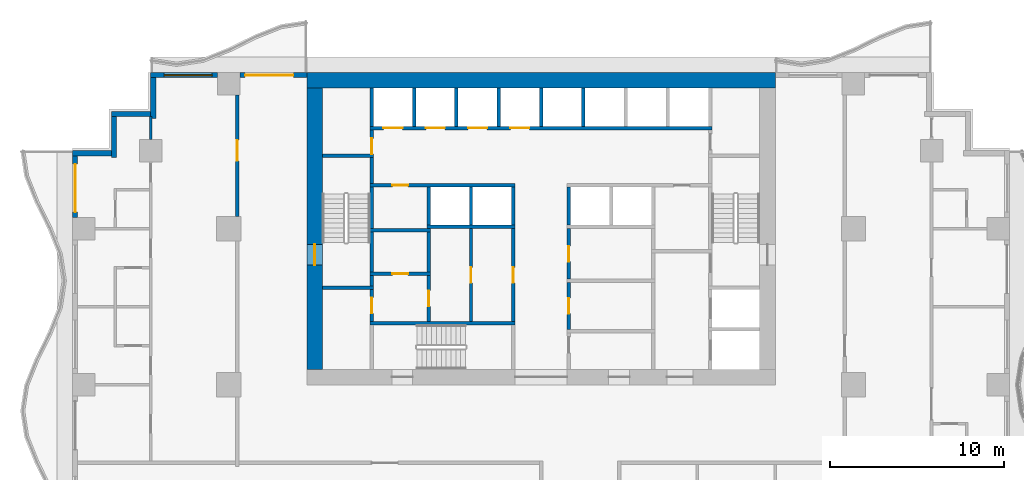
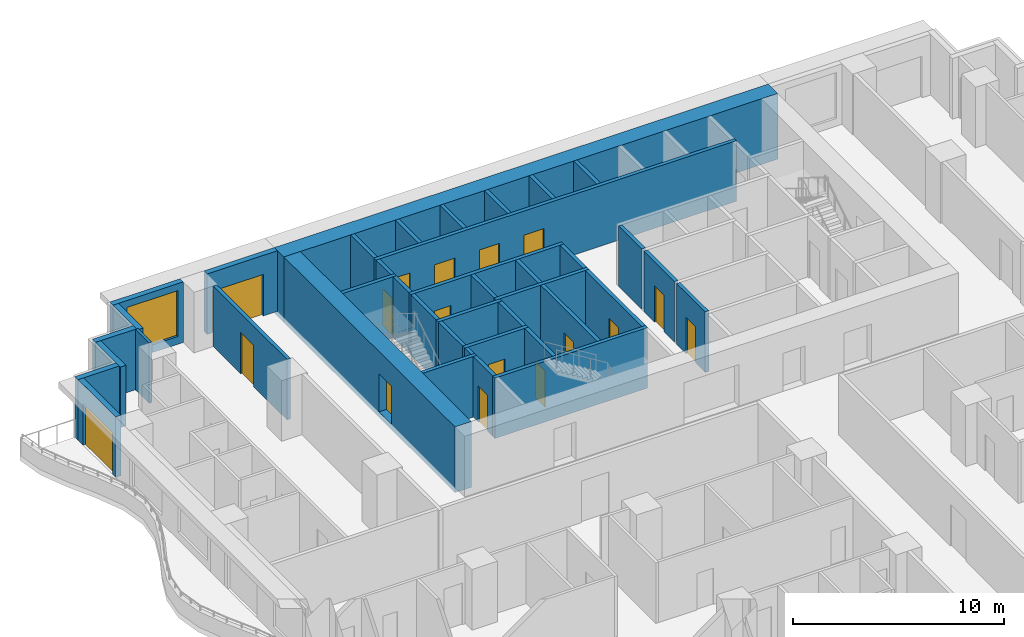
# One storey, part 5 of 14: 41 walls, 17 doors, 1 window, 18 openings.
"""IFC4 building model written with IfcOpenShell, lengths in metres."""

from ifc_helpers import new_model, si_unit, direction, frame, frame_2d, origin, place, context, subcontext, project, spatial, rectangle, extrude, material, layer, layer_set, type_object, element, fill, save


model = new_model("IFC4")

# Units and contexts
model_context = context("Model", 3, precision=1e-05, world=origin(), true_north=direction((0.0, 1.0)))
body_context = subcontext(model_context, "Body", "Model", "MODEL_VIEW")
ifc_project = project(units=[si_unit("LENGTHUNIT", "METRE"), si_unit("AREAUNIT", "SQUARE_METRE"), si_unit("VOLUMEUNIT", "CUBIC_METRE"), si_unit("PLANEANGLEUNIT", "RADIAN"), si_unit("MASSUNIT", "GRAM", prefix="KILO")], contexts=[model_context])

# Site, building, storey
site_placement = place(None, origin())
site = spatial("IfcSite", under=ifc_project, at=site_placement, CompositionType="ELEMENT")
building_placement = place(site_placement, origin())
building = spatial("IfcBuilding", under=site, at=building_placement, Name="Orbiselva Terraces", CompositionType="ELEMENT")
storey_placement = place(building_placement, frame((0.0, 0.0, 84.6)))
storey = spatial("IfcBuildingStorey", under=building, at=storey_placement, Name="L21", CompositionType="ELEMENT", Elevation=84.6)

# Wall, opening, door
ifc_material_1 = material(Name="Concrete C80/95", Category="concrete")
ifc_layer_1 = layer(ifc_material_1, 0.9)
ifc_layer_set_1 = layer_set([ifc_layer_1], Name="Concrete C80/95")
wall_type_1 = type_object("IfcWallType", Name="CORE WALL 900", PredefinedType="SHEAR", material=ifc_layer_set_1)
wall_1_placement = place(storey_placement, frame((-13.05, 21.6, -0.3), z_axis=(0.0, 0.0, 1.0), x_axis=(0.0, -1.0, 0.0)))
wall_1 = element("IfcWall", 1, at=wall_1_placement, inside=storey, type_object=wall_type_1, Name="Core wall L21 west", PredefinedType="SHEAR", context=body_context, shape_type="SweptSolid", body=[
    extrude(rectangle(XDim=16.2, YDim=0.9, at=frame_2d((8.1, 0.0))), origin(), (0.0, 0.0, 1.0), 3.8),
])
opening_1_placement = place(wall_1_placement, frame((9.0, 0.0, 0.3)))
opening_1 = element("IfcOpeningElement", 2, at=opening_1_placement, cuts=wall_1, Name="Opening DS1200", PredefinedType="OPENING", context=body_context, shape_type="SweptSolid", body=[
    extrude(rectangle(XDim=1.2, YDim=2.2, at=frame_2d((0.6, 1.1))), frame((0.0, 0.46, 0.0), z_axis=(0.0, -1.0, 0.0), x_axis=(1.0, 0.0, 0.0)), (0.0, 0.0, 1.0), 0.92),
])
ifc_material_2 = material(Name="Steel fire door", Category="steel")
door_type_1 = type_object("IfcDoorType", Name="STAIR DOOR 1200", OperationType="NOTDEFINED", PredefinedType="DOOR", material=ifc_material_2)
door_1_placement = place(opening_1_placement, frame((1.2, 0.0, 0.0), z_axis=(0.0, 0.0, 1.0), x_axis=(-1.0, 0.0, 0.0)))
door_1 = element("IfcDoor", 3, at=door_1_placement, inside=storey, type_object=door_type_1, Name="L21 EXIT STAIR S1 door", OperationType="SINGLE_SWING_RIGHT", OverallHeight=2.2, OverallWidth=1.2, PredefinedType="DOOR", context=body_context, shape_type="SweptSolid", body=[
    extrude(rectangle(XDim=1.2, YDim=2.2, at=frame_2d((0.6, 1.1))), frame((0.0, 0.025, 0.0), z_axis=(0.0, -1.0, 0.0), x_axis=(1.0, 0.0, 0.0)), (0.0, 0.0, 1.0), 0.05),
])
fill(opening_1, door_1)

# Wall
ifc_layer_2 = layer(ifc_material_1, 0.9)
ifc_layer_set_2 = layer_set([ifc_layer_2], Name="Concrete C80/95")
wall_type_2 = type_object("IfcWallType", Name="CORE WALL 900 EXTERNAL", PredefinedType="SHEAR", material=ifc_layer_set_2)
wall_2_placement = place(storey_placement, frame((13.5, 22.05, -0.3), z_axis=(0.0, 0.0, 1.0), x_axis=(-1.0, 0.0, 0.0)))
element("IfcWall", 4, at=wall_2_placement, inside=storey, type_object=wall_type_2, Name="Core wall L21 north", PredefinedType="SHEAR", context=body_context, shape_type="SweptSolid", body=[
    extrude(rectangle(XDim=27.0, YDim=0.9, at=frame_2d((13.5, 0.0))), origin(), (0.0, 0.0, 1.0), 3.8),
])

# Wall, opening, door
ifc_material_3 = material(Name="Masonry blockwork", Category="masonry")
ifc_layer_3 = layer(ifc_material_3, 0.2)
ifc_layer_set_3 = layer_set([ifc_layer_3], Name="Masonry blockwork")
wall_type_3 = type_object("IfcWallType", Name="CORE-WALL-PARTITION-200", PredefinedType="PARTITIONING", material=ifc_layer_set_3)
wall_3_placement = place(storey_placement, frame((-9.75, 8.15, 0.0), z_axis=(0.0, 0.0, 1.0), x_axis=(0.0, 1.0, 0.0)))
wall_3 = element("IfcWall", 5, at=wall_3_placement, inside=storey, type_object=wall_type_3, Name="L21 core wall 05", PredefinedType="PARTITIONING", context=body_context, shape_type="SweptSolid", body=[
    extrude(rectangle(XDim=1.85, YDim=0.2, at=frame_2d((0.925, 0.0))), origin(), (0.0, 0.0, 1.0), 3.5),
])
opening_2_placement = place(wall_3_placement, frame((0.475, 0.0, 0.0)))
opening_2 = element("IfcOpeningElement", 6, at=opening_2_placement, cuts=wall_3, Name="Opening DR900", PredefinedType="OPENING", context=body_context, shape_type="SweptSolid", body=[
    extrude(rectangle(XDim=0.9, YDim=2.1, at=frame_2d((0.45, 1.05))), frame((0.0, 0.11, 0.0), z_axis=(0.0, -1.0, 0.0), x_axis=(1.0, 0.0, 0.0)), (0.0, 0.0, 1.0), 0.22),
])
door_type_2 = type_object("IfcDoorType", Name="ROOM DOOR 900", OperationType="NOTDEFINED", PredefinedType="DOOR", material=ifc_material_2)
door_2_placement = place(opening_2_placement, origin())
door_2 = element("IfcDoor", 7, at=door_2_placement, inside=storey, type_object=door_type_2, Name="L21 STAFF WC door", OperationType="SINGLE_SWING_RIGHT", OverallHeight=2.1, OverallWidth=0.9, PredefinedType="DOOR", context=body_context, shape_type="SweptSolid", body=[
    extrude(rectangle(XDim=0.9, YDim=2.1, at=frame_2d((0.45, 1.05))), frame((0.0, 0.025, 0.0), z_axis=(0.0, -1.0, 0.0), x_axis=(1.0, 0.0, 0.0)), (0.0, 0.0, 1.0), 0.05),
])
fill(opening_2, door_2)

wall_4_placement = place(storey_placement, frame((-9.75, 17.8, 0.0), z_axis=(0.0, 0.0, 1.0), x_axis=(0.0, 1.0, 0.0)))
wall_4 = element("IfcWall", 8, at=wall_4_placement, inside=storey, type_object=wall_type_3, Name="L21 core wall 13", PredefinedType="PARTITIONING", context=body_context, shape_type="SweptSolid", body=[
    extrude(rectangle(XDim=1.4, YDim=0.2, at=frame_2d((0.7, 0.0))), origin(), (0.0, 0.0, 1.0), 3.5),
])
opening_3_placement = place(wall_4_placement, origin())
opening_3 = element("IfcOpeningElement", 9, at=opening_3_placement, cuts=wall_4, Name="Opening DR900", PredefinedType="OPENING", context=body_context, shape_type="SweptSolid", body=[
    extrude(rectangle(XDim=0.9, YDim=2.1, at=frame_2d((0.45, 1.05))), frame((0.0, 0.11, 0.0), z_axis=(0.0, -1.0, 0.0), x_axis=(1.0, 0.0, 0.0)), (0.0, 0.0, 1.0), 0.22),
])
door_3_placement = place(opening_3_placement, origin())
door_3 = element("IfcDoor", 10, at=door_3_placement, inside=storey, type_object=door_type_2, Name="L21 ELECTRICAL RISER ROOM door", OperationType="SINGLE_SWING_LEFT", OverallHeight=2.1, OverallWidth=0.9, PredefinedType="DOOR", context=body_context, shape_type="SweptSolid", body=[
    extrude(rectangle(XDim=0.9, YDim=2.1, at=frame_2d((0.45, 1.05))), frame((0.0, 0.025, 0.0), z_axis=(0.0, -1.0, 0.0), x_axis=(1.0, 0.0, 0.0)), (0.0, 0.0, 1.0), 0.05),
])
fill(opening_3, door_3)

wall_5_placement = place(storey_placement, frame((-6.475, 8.15, 0.0), z_axis=(0.0, 0.0, 1.0), x_axis=(0.0, 1.0, 0.0)))
wall_5 = element("IfcWall", 11, at=wall_5_placement, inside=storey, type_object=wall_type_3, Name="L21 core wall 17", PredefinedType="PARTITIONING", context=body_context, shape_type="SweptSolid", body=[
    extrude(rectangle(XDim=2.65, YDim=0.2, at=frame_2d((1.325, 0.0))), origin(), (0.0, 0.0, 1.0), 3.5),
])
opening_4_placement = place(wall_5_placement, frame((0.875, 0.0, 0.0)))
opening_4 = element("IfcOpeningElement", 12, at=opening_4_placement, cuts=wall_5, Name="Opening DR900", PredefinedType="OPENING", context=body_context, shape_type="SweptSolid", body=[
    extrude(rectangle(XDim=0.9, YDim=2.1, at=frame_2d((0.45, 1.05))), frame((0.0, 0.11, 0.0), z_axis=(0.0, -1.0, 0.0), x_axis=(1.0, 0.0, 0.0)), (0.0, 0.0, 1.0), 0.22),
])
door_4_placement = place(opening_4_placement, origin())
door_4 = element("IfcDoor", 13, at=door_4_placement, inside=storey, type_object=door_type_2, Name="L21 UNIFORM STORE door", OperationType="SINGLE_SWING_LEFT", OverallHeight=2.1, OverallWidth=0.9, PredefinedType="DOOR", context=body_context, shape_type="SweptSolid", body=[
    extrude(rectangle(XDim=0.9, YDim=2.1, at=frame_2d((0.45, 1.05))), frame((0.0, 0.025, 0.0), z_axis=(0.0, -1.0, 0.0), x_axis=(1.0, 0.0, 0.0)), (0.0, 0.0, 1.0), 0.05),
])
fill(opening_4, door_4)

# Wall
wall_6_placement = place(storey_placement, frame((-6.475, 11.0, 0.0), z_axis=(0.0, 0.0, 1.0), x_axis=(0.0, 1.0, 0.0)))
element("IfcWall", 14, at=wall_6_placement, inside=storey, type_object=wall_type_3, Name="L21 core wall 18", PredefinedType="PARTITIONING", context=body_context, shape_type="SweptSolid", body=[
    extrude(rectangle(XDim=2.3, YDim=0.2, at=frame_2d((1.15, 0.0))), origin(), (0.0, 0.0, 1.0), 3.5),
])

# Wall, opening, door
wall_7_placement = place(storey_placement, frame((-4.0375, 8.15, 0.0), z_axis=(0.0, 0.0, 1.0), x_axis=(0.0, 1.0, 0.0)))
wall_7 = element("IfcWall", 15, at=wall_7_placement, inside=storey, type_object=wall_type_3, Name="L21 core wall 22", PredefinedType="PARTITIONING", context=body_context, shape_type="SweptSolid", body=[
    extrude(rectangle(XDim=5.35, YDim=0.2, at=frame_2d((2.675, 0.0))), origin(), (0.0, 0.0, 1.0), 3.5),
])
opening_5_placement = place(wall_7_placement, frame((2.225, 0.0, 0.0)))
opening_5 = element("IfcOpeningElement", 16, at=opening_5_placement, cuts=wall_7, Name="Opening DR900", PredefinedType="OPENING", context=body_context, shape_type="SweptSolid", body=[
    extrude(rectangle(XDim=0.9, YDim=2.1, at=frame_2d((0.45, 1.05))), frame((0.0, 0.11, 0.0), z_axis=(0.0, -1.0, 0.0), x_axis=(1.0, 0.0, 0.0)), (0.0, 0.0, 1.0), 0.22),
])
door_5_placement = place(opening_5_placement, origin())
door_5 = element("IfcDoor", 17, at=door_5_placement, inside=storey, type_object=door_type_2, Name="L21 BUILDING STORE door", OperationType="SINGLE_SWING_RIGHT", OverallHeight=2.1, OverallWidth=0.9, PredefinedType="DOOR", context=body_context, shape_type="SweptSolid", body=[
    extrude(rectangle(XDim=0.9, YDim=2.1, at=frame_2d((0.45, 1.05))), frame((0.0, 0.025, 0.0), z_axis=(0.0, -1.0, 0.0), x_axis=(1.0, 0.0, 0.0)), (0.0, 0.0, 1.0), 0.05),
])
fill(opening_5, door_5)

wall_8_placement = place(storey_placement, frame((1.6, 10.4, 0.0), z_axis=(0.0, 0.0, 1.0), x_axis=(0.0, -1.0, 0.0)))
wall_8 = element("IfcWall", 18, at=wall_8_placement, inside=storey, type_object=wall_type_3, Name="L21 core wall 31", PredefinedType="PARTITIONING", context=body_context, shape_type="SweptSolid", body=[
    extrude(rectangle(XDim=2.7, YDim=0.2, at=frame_2d((1.35, 0.0))), origin(), (0.0, 0.0, 1.0), 3.5),
])
opening_6_placement = place(wall_8_placement, frame((0.9, 0.0, 0.0)))
opening_6 = element("IfcOpeningElement", 19, at=opening_6_placement, cuts=wall_8, Name="Opening DR900", PredefinedType="OPENING", context=body_context, shape_type="SweptSolid", body=[
    extrude(rectangle(XDim=0.9, YDim=2.1, at=frame_2d((0.45, 1.05))), frame((0.0, 0.11, 0.0), z_axis=(0.0, -1.0, 0.0), x_axis=(1.0, 0.0, 0.0)), (0.0, 0.0, 1.0), 0.22),
])
door_6_placement = place(opening_6_placement, origin())
door_6 = element("IfcDoor", 20, at=door_6_placement, inside=storey, type_object=door_type_2, Name="L21 SERVICE PANTRY door", OperationType="SINGLE_SWING_LEFT", OverallHeight=2.1, OverallWidth=0.9, PredefinedType="DOOR", context=body_context, shape_type="SweptSolid", body=[
    extrude(rectangle(XDim=0.9, YDim=2.1, at=frame_2d((0.45, 1.05))), frame((0.0, 0.025, 0.0), z_axis=(0.0, -1.0, 0.0), x_axis=(1.0, 0.0, 0.0)), (0.0, 0.0, 1.0), 0.05),
])
fill(opening_6, door_6)

wall_9_placement = place(storey_placement, frame((1.6, 13.5, 0.0), z_axis=(0.0, 0.0, 1.0), x_axis=(0.0, -1.0, 0.0)))
wall_9 = element("IfcWall", 21, at=wall_9_placement, inside=storey, type_object=wall_type_3, Name="L21 core wall 33", PredefinedType="PARTITIONING", context=body_context, shape_type="SweptSolid", body=[
    extrude(rectangle(XDim=2.9, YDim=0.2, at=frame_2d((1.45, 0.0))), origin(), (0.0, 0.0, 1.0), 3.5),
])
opening_7_placement = place(wall_9_placement, frame((1.0, 0.0, 0.0)))
opening_7 = element("IfcOpeningElement", 22, at=opening_7_placement, cuts=wall_9, Name="Opening DR900", PredefinedType="OPENING", context=body_context, shape_type="SweptSolid", body=[
    extrude(rectangle(XDim=0.9, YDim=2.1, at=frame_2d((0.45, 1.05))), frame((0.0, 0.11, 0.0), z_axis=(0.0, -1.0, 0.0), x_axis=(1.0, 0.0, 0.0)), (0.0, 0.0, 1.0), 0.22),
])
door_7_placement = place(opening_7_placement, origin())
door_7 = element("IfcDoor", 23, at=door_7_placement, inside=storey, type_object=door_type_2, Name="L21 STAFF WC door", OperationType="SINGLE_SWING_LEFT", OverallHeight=2.1, OverallWidth=0.9, PredefinedType="DOOR", context=body_context, shape_type="SweptSolid", body=[
    extrude(rectangle(XDim=0.9, YDim=2.1, at=frame_2d((0.45, 1.05))), frame((0.0, 0.025, 0.0), z_axis=(0.0, -1.0, 0.0), x_axis=(1.0, 0.0, 0.0)), (0.0, 0.0, 1.0), 0.05),
])
fill(opening_7, door_7)

# Walls
ifc_material_4 = material(Name="Concrete C40/50", Category="concrete")
ifc_layer_4 = layer(ifc_material_4, 0.2)
ifc_layer_set_4 = layer_set([ifc_layer_4], Name="Concrete C40/50")
wall_type_4 = type_object("IfcWallType", Name="CORE-WALL-SHAFT-200", PredefinedType="PARTITIONING", material=ifc_layer_set_4)
for number, where, z_axis, x_axis, name in (
    (24, (-9.75, 19.4, 0.0), (0.0, 0.0, 1.0), (0.0, 1.0, 0.0), "L21 core wall 15"),
    (25, (-7.3125, 19.4, 0.0), (0.0, 0.0, 1.0), (0.0, 1.0, 0.0), "L21 core wall 16"),
    (26, (-6.475, 13.7, 0.0), (0.0, 0.0, 1.0), (0.0, 1.0, 0.0), "L21 core wall 20"),
    (27, (-4.875, 19.4, 0.0), (0.0, 0.0, 1.0), (0.0, 1.0, 0.0), "L21 core wall 21"),
    (28, (-4.0375, 13.7, 0.0), (0.0, 0.0, 1.0), (0.0, 1.0, 0.0), "L21 core wall 23"),
    (29, (-2.4375, 19.4, 0.0), (0.0, 0.0, 1.0), (0.0, 1.0, 0.0), "L21 core wall 24"),
    (30, (-1.6, 13.7, 0.0), (0.0, 0.0, 1.0), (0.0, 1.0, 0.0), "L21 core wall 27"),
    (31, (0.0, 19.4, 0.0), (0.0, 0.0, 1.0), (0.0, 1.0, 0.0), "L21 core wall 28"),
    (32, (1.6, 13.7, 0.0), (0.0, 0.0, 1.0), (0.0, 1.0, 0.0), "L21 core wall 35"),
    (33, (2.4375, 19.4, 0.0), (0.0, 0.0, 1.0), (0.0, 1.0, 0.0), "L21 core wall 37"),
):
    element("IfcWall", number, at=place(storey_placement, frame(where, z_axis=z_axis, x_axis=x_axis)), inside=storey, type_object=wall_type_4, Name=name, PredefinedType="PARTITIONING", context=body_context, shape_type="SweptSolid", body=[
        extrude(rectangle(XDim=2.2, YDim=0.2, at=frame_2d((1.1, 0.0))), origin(), (0.0, 0.0, 1.0), 3.5),
    ])
ifc_material_5 = material(Name="Concrete C60/75", Category="concrete")
ifc_layer_5 = layer(ifc_material_5, 0.2)
ifc_layer_set_5 = layer_set([ifc_layer_5], Name="Concrete C60/75")
wall_type_5 = type_object("IfcWallType", Name="CORE-WALL-SHEAR-200", PredefinedType="SHEAR", material=ifc_layer_set_5)
for number, where, z_axis, x_axis, name in (
    (34, (-12.6, 10.1, 0.0), (0.0, 0.0, 1.0), (1.0, 0.0, 0.0), "L21 core wall 01"),
    (35, (-12.6, 17.7, 0.0), (0.0, 0.0, 1.0), (1.0, 0.0, 0.0), "L21 core wall 02"),
):
    element("IfcWall", number, at=place(storey_placement, frame(where, z_axis=z_axis, x_axis=x_axis)), inside=storey, type_object=wall_type_5, Name=name, PredefinedType="SHEAR", context=body_context, shape_type="SweptSolid", body=[
        extrude(rectangle(XDim=2.95, YDim=0.2, at=frame_2d((1.475, 0.0))), origin(), (0.0, 0.0, 1.0), 3.5),
    ])
wall_10_placement = place(storey_placement, frame((-9.85, 8.05, 0.0), z_axis=(0.0, 0.0, 1.0), x_axis=(1.0, 0.0, 0.0)))
element("IfcWall", 36, at=wall_10_placement, inside=storey, type_object=wall_type_5, Name="L21 core wall 04", PredefinedType="SHEAR", context=body_context, shape_type="SweptSolid", body=[
    extrude(rectangle(XDim=8.35, YDim=0.2, at=frame_2d((4.175, 0.0))), origin(), (0.0, 0.0, 1.0), 3.5),
])
wall_11_placement = place(storey_placement, frame((-9.75, 10.2, 0.0), z_axis=(0.0, 0.0, 1.0), x_axis=(0.0, 1.0, 0.0)))
element("IfcWall", 37, at=wall_11_placement, inside=storey, type_object=wall_type_5, Name="L21 core wall 06", PredefinedType="SHEAR", context=body_context, shape_type="SweptSolid", body=[
    extrude(rectangle(XDim=0.6, YDim=0.2, at=frame_2d((0.3, 0.0))), origin(), (0.0, 0.0, 1.0), 3.5),
])

# Wall, opening, door
wall_12_placement = place(storey_placement, frame((-9.85, 10.9, 0.0), z_axis=(0.0, 0.0, 1.0), x_axis=(1.0, 0.0, 0.0)))
wall_12 = element("IfcWall", 38, at=wall_12_placement, inside=storey, type_object=wall_type_5, Name="L21 core wall 07", PredefinedType="SHEAR", context=body_context, shape_type="SweptSolid", body=[
    extrude(rectangle(XDim=3.475, YDim=0.2, at=frame_2d((1.7375, 0.0))), origin(), (0.0, 0.0, 1.0), 3.5),
])
opening_8_placement = place(wall_12_placement, frame((1.2875, 0.0, 0.0)))
opening_8 = element("IfcOpeningElement", 39, at=opening_8_placement, cuts=wall_12, Name="Opening DR900", PredefinedType="OPENING", context=body_context, shape_type="SweptSolid", body=[
    extrude(rectangle(XDim=0.9, YDim=2.1, at=frame_2d((0.45, 1.05))), frame((0.0, 0.11, 0.0), z_axis=(0.0, -1.0, 0.0), x_axis=(1.0, 0.0, 0.0)), (0.0, 0.0, 1.0), 0.22),
])
door_8_placement = place(opening_8_placement, origin())
door_8 = element("IfcDoor", 40, at=door_8_placement, inside=storey, type_object=door_type_2, Name="L21 LAUNDRY ROOM door", OperationType="SINGLE_SWING_RIGHT", OverallHeight=2.1, OverallWidth=0.9, PredefinedType="DOOR", context=body_context, shape_type="SweptSolid", body=[
    extrude(rectangle(XDim=0.9, YDim=2.1, at=frame_2d((0.45, 1.05))), frame((0.0, 0.025, 0.0), z_axis=(0.0, -1.0, 0.0), x_axis=(1.0, 0.0, 0.0)), (0.0, 0.0, 1.0), 0.05),
])
fill(opening_8, door_8)

# Walls
wall_13_placement = place(storey_placement, frame((-9.75, 11.0, 0.0), z_axis=(0.0, 0.0, 1.0), x_axis=(0.0, 1.0, 0.0)))
element("IfcWall", 41, at=wall_13_placement, inside=storey, type_object=wall_type_5, Name="L21 core wall 08", PredefinedType="SHEAR", context=body_context, shape_type="SweptSolid", body=[
    extrude(rectangle(XDim=2.3, YDim=0.2, at=frame_2d((1.15, 0.0))), origin(), (0.0, 0.0, 1.0), 3.5),
])
wall_14_placement = place(storey_placement, frame((-9.85, 13.4, 0.0), z_axis=(0.0, 0.0, 1.0), x_axis=(1.0, 0.0, 0.0)))
element("IfcWall", 42, at=wall_14_placement, inside=storey, type_object=wall_type_5, Name="L21 core wall 09", PredefinedType="SHEAR", context=body_context, shape_type="SweptSolid", body=[
    extrude(rectangle(XDim=3.475, YDim=0.2, at=frame_2d((1.7375, 0.0))), origin(), (0.0, 0.0, 1.0), 3.5),
])
wall_15_placement = place(storey_placement, frame((-9.75, 13.5, 0.0), z_axis=(0.0, 0.0, 1.0), x_axis=(0.0, 1.0, 0.0)))
element("IfcWall", 43, at=wall_15_placement, inside=storey, type_object=wall_type_5, Name="L21 core wall 10", PredefinedType="SHEAR", context=body_context, shape_type="SweptSolid", body=[
    extrude(rectangle(XDim=2.4, YDim=0.2, at=frame_2d((1.2, 0.0))), origin(), (0.0, 0.0, 1.0), 3.5),
])

# Wall, opening, door
wall_16_placement = place(storey_placement, frame((-1.5, 16.0, 0.0), z_axis=(0.0, 0.0, 1.0), x_axis=(-1.0, 0.0, 0.0)))
wall_16 = element("IfcWall", 44, at=wall_16_placement, inside=storey, type_object=wall_type_5, Name="L21 core wall 11", PredefinedType="SHEAR", context=body_context, shape_type="SweptSolid", body=[
    extrude(rectangle(XDim=8.35, YDim=0.2, at=frame_2d((4.175, 0.0))), origin(), (0.0, 0.0, 1.0), 3.5),
])
opening_9_placement = place(wall_16_placement, frame((6.1625, 0.0, 0.0)))
opening_9 = element("IfcOpeningElement", 45, at=opening_9_placement, cuts=wall_16, Name="Opening DR900", PredefinedType="OPENING", context=body_context, shape_type="SweptSolid", body=[
    extrude(rectangle(XDim=0.9, YDim=2.1, at=frame_2d((0.45, 1.05))), frame((0.0, 0.11, 0.0), z_axis=(0.0, -1.0, 0.0), x_axis=(1.0, 0.0, 0.0)), (0.0, 0.0, 1.0), 0.22),
])
door_9_placement = place(opening_9_placement, origin())
door_9 = element("IfcDoor", 46, at=door_9_placement, inside=storey, type_object=door_type_2, Name="L21 STAFF PANTRY door", OperationType="SINGLE_SWING_RIGHT", OverallHeight=2.1, OverallWidth=0.9, PredefinedType="DOOR", context=body_context, shape_type="SweptSolid", body=[
    extrude(rectangle(XDim=0.9, YDim=2.1, at=frame_2d((0.45, 1.05))), frame((0.0, 0.025, 0.0), z_axis=(0.0, -1.0, 0.0), x_axis=(1.0, 0.0, 0.0)), (0.0, 0.0, 1.0), 0.05),
])
fill(opening_9, door_9)

# Wall
wall_17_placement = place(storey_placement, frame((-9.75, 16.1, 0.0), z_axis=(0.0, 0.0, 1.0), x_axis=(0.0, 1.0, 0.0)))
element("IfcWall", 47, at=wall_17_placement, inside=storey, type_object=wall_type_5, Name="L21 core wall 12", PredefinedType="SHEAR", context=body_context, shape_type="SweptSolid", body=[
    extrude(rectangle(XDim=1.5, YDim=0.2, at=frame_2d((0.75, 0.0))), origin(), (0.0, 0.0, 1.0), 3.5),
])

# Wall, openings, doors
wall_18_placement = place(storey_placement, frame((-9.85, 19.3, 0.0), z_axis=(0.0, 0.0, 1.0), x_axis=(1.0, 0.0, 0.0)))
wall_18 = element("IfcWall", 48, at=wall_18_placement, inside=storey, type_object=wall_type_5, Name="L21 core wall 14", PredefinedType="SHEAR", context=body_context, shape_type="SweptSolid", body=[
    extrude(rectangle(XDim=19.7, YDim=0.2, at=frame_2d((9.85, 0.0))), origin(), (0.0, 0.0, 1.0), 3.5),
])
opening_10_placement = place(wall_18_placement, frame((0.76875, 0.0, 0.0)))
opening_10 = element("IfcOpeningElement", 49, at=opening_10_placement, cuts=wall_18, Name="Opening LD-LR1", PredefinedType="OPENING", context=body_context, shape_type="SweptSolid", body=[
    extrude(rectangle(XDim=1.1, YDim=2.1, at=frame_2d((0.55, 1.05))), frame((0.0, 0.11, 0.0), z_axis=(0.0, -1.0, 0.0), x_axis=(1.0, 0.0, 0.0)), (0.0, 0.0, 1.0), 0.22),
])
opening_11_placement = place(wall_18_placement, frame((3.20625, 0.0, 0.0)))
opening_11 = element("IfcOpeningElement", 50, at=opening_11_placement, cuts=wall_18, Name="Opening LD-LR2", PredefinedType="OPENING", context=body_context, shape_type="SweptSolid", body=[
    extrude(rectangle(XDim=1.1, YDim=2.1, at=frame_2d((0.55, 1.05))), frame((0.0, 0.11, 0.0), z_axis=(0.0, -1.0, 0.0), x_axis=(1.0, 0.0, 0.0)), (0.0, 0.0, 1.0), 0.22),
])
opening_12_placement = place(wall_18_placement, frame((5.64375, 0.0, 0.0)))
opening_12 = element("IfcOpeningElement", 51, at=opening_12_placement, cuts=wall_18, Name="Opening LD-LR3", PredefinedType="OPENING", context=body_context, shape_type="SweptSolid", body=[
    extrude(rectangle(XDim=1.1, YDim=2.1, at=frame_2d((0.55, 1.05))), frame((0.0, 0.11, 0.0), z_axis=(0.0, -1.0, 0.0), x_axis=(1.0, 0.0, 0.0)), (0.0, 0.0, 1.0), 0.22),
])
opening_13_placement = place(wall_18_placement, frame((8.08125, 0.0, 0.0)))
opening_13 = element("IfcOpeningElement", 52, at=opening_13_placement, cuts=wall_18, Name="Opening LD-LR4", PredefinedType="OPENING", context=body_context, shape_type="SweptSolid", body=[
    extrude(rectangle(XDim=1.1, YDim=2.1, at=frame_2d((0.55, 1.05))), frame((0.0, 0.11, 0.0), z_axis=(0.0, -1.0, 0.0), x_axis=(1.0, 0.0, 0.0)), (0.0, 0.0, 1.0), 0.22),
])
ifc_material_6 = material(Name="Stainless steel landing door", Category="steel")
door_type_3 = type_object("IfcDoorType", Name="LANDING DOOR 1100", OperationType="SLIDING_TO_LEFT", PredefinedType="DOOR", material=ifc_material_6)
door_10_placement = place(opening_10_placement, origin())
door_10 = element("IfcDoor", 53, at=door_10_placement, inside=storey, type_object=door_type_3, Name="L21 landing door LR1", OperationType="SLIDING_TO_LEFT", OverallHeight=2.1, OverallWidth=1.1, PredefinedType="DOOR", context=body_context, shape_type="SweptSolid", body=[
    extrude(rectangle(XDim=1.1, YDim=2.1, at=frame_2d((0.55, 1.05))), frame((0.0, 0.025, 0.0), z_axis=(0.0, -1.0, 0.0), x_axis=(1.0, 0.0, 0.0)), (0.0, 0.0, 1.0), 0.05),
])
fill(opening_10, door_10)
door_11_placement = place(opening_11_placement, origin())
door_11 = element("IfcDoor", 54, at=door_11_placement, inside=storey, type_object=door_type_3, Name="L21 landing door LR2", OperationType="SLIDING_TO_LEFT", OverallHeight=2.1, OverallWidth=1.1, PredefinedType="DOOR", context=body_context, shape_type="SweptSolid", body=[
    extrude(rectangle(XDim=1.1, YDim=2.1, at=frame_2d((0.55, 1.05))), frame((0.0, 0.025, 0.0), z_axis=(0.0, -1.0, 0.0), x_axis=(1.0, 0.0, 0.0)), (0.0, 0.0, 1.0), 0.05),
])
fill(opening_11, door_11)
door_12_placement = place(opening_12_placement, origin())
door_12 = element("IfcDoor", 55, at=door_12_placement, inside=storey, type_object=door_type_3, Name="L21 landing door LR3", OperationType="SLIDING_TO_LEFT", OverallHeight=2.1, OverallWidth=1.1, PredefinedType="DOOR", context=body_context, shape_type="SweptSolid", body=[
    extrude(rectangle(XDim=1.1, YDim=2.1, at=frame_2d((0.55, 1.05))), frame((0.0, 0.025, 0.0), z_axis=(0.0, -1.0, 0.0), x_axis=(1.0, 0.0, 0.0)), (0.0, 0.0, 1.0), 0.05),
])
fill(opening_12, door_12)
door_13_placement = place(opening_13_placement, origin())
door_13 = element("IfcDoor", 56, at=door_13_placement, inside=storey, type_object=door_type_3, Name="L21 landing door LR4", OperationType="SLIDING_TO_LEFT", OverallHeight=2.1, OverallWidth=1.1, PredefinedType="DOOR", context=body_context, shape_type="SweptSolid", body=[
    extrude(rectangle(XDim=1.1, YDim=2.1, at=frame_2d((0.55, 1.05))), frame((0.0, 0.025, 0.0), z_axis=(0.0, -1.0, 0.0), x_axis=(1.0, 0.0, 0.0)), (0.0, 0.0, 1.0), 0.05),
])
fill(opening_13, door_13)

# Wall
wall_19_placement = place(storey_placement, frame((-6.575, 13.6, 0.0), z_axis=(0.0, 0.0, 1.0), x_axis=(1.0, 0.0, 0.0)))
element("IfcWall", 57, at=wall_19_placement, inside=storey, type_object=wall_type_5, Name="L21 core wall 19", PredefinedType="SHEAR", context=body_context, shape_type="SweptSolid", body=[
    extrude(rectangle(XDim=5.075, YDim=0.2, at=frame_2d((2.5375, 0.0))), origin(), (0.0, 0.0, 1.0), 3.5),
])

# Wall, opening, door
wall_20_placement = place(storey_placement, frame((-1.6, 8.15, 0.0), z_axis=(0.0, 0.0, 1.0), x_axis=(0.0, 1.0, 0.0)))
wall_20 = element("IfcWall", 58, at=wall_20_placement, inside=storey, type_object=wall_type_5, Name="L21 core wall 26", PredefinedType="SHEAR", context=body_context, shape_type="SweptSolid", body=[
    extrude(rectangle(XDim=5.35, YDim=0.2, at=frame_2d((2.675, 0.0))), origin(), (0.0, 0.0, 1.0), 3.5),
])
opening_14_placement = place(wall_20_placement, frame((2.225, 0.0, 0.0)))
opening_14 = element("IfcOpeningElement", 59, at=opening_14_placement, cuts=wall_20, Name="Opening DR900", PredefinedType="OPENING", context=body_context, shape_type="SweptSolid", body=[
    extrude(rectangle(XDim=0.9, YDim=2.1, at=frame_2d((0.45, 1.05))), frame((0.0, 0.11, 0.0), z_axis=(0.0, -1.0, 0.0), x_axis=(1.0, 0.0, 0.0)), (0.0, 0.0, 1.0), 0.22),
])
door_14_placement = place(opening_14_placement, origin())
door_14 = element("IfcDoor", 60, at=door_14_placement, inside=storey, type_object=door_type_2, Name="L21 GUEST PANTRY door", OperationType="SINGLE_SWING_RIGHT", OverallHeight=2.1, OverallWidth=0.9, PredefinedType="DOOR", context=body_context, shape_type="SweptSolid", body=[
    extrude(rectangle(XDim=0.9, YDim=2.1, at=frame_2d((0.45, 1.05))), frame((0.0, 0.025, 0.0), z_axis=(0.0, -1.0, 0.0), x_axis=(1.0, 0.0, 0.0)), (0.0, 0.0, 1.0), 0.05),
])
fill(opening_14, door_14)

ifc_material_7 = material(Name="Terracotta cladding on masonry backing", Category="masonry")
ifc_layer_6 = layer(ifc_material_7, 0.3)
ifc_layer_set_6 = layer_set([ifc_layer_6], Name="Terracotta cladding on masonry backing")
wall_type_6 = type_object("IfcWallType", Name="ENV-WALL-TERRACOTTA-300", PredefinedType="SOLIDWALL", material=ifc_layer_set_6)
wall_21_placement = place(storey_placement, frame((-17.35, 22.35, 0.0), z_axis=(0.0, 0.0, 1.0), x_axis=(1.0, 0.0, 0.0)))
wall_21 = element("IfcWall", 61, at=wall_21_placement, inside=storey, type_object=wall_type_6, Name="Facade wall L21 NW", PredefinedType="SOLIDWALL", context=body_context, shape_type="SweptSolid", body=[
    extrude(rectangle(XDim=3.85, YDim=0.3, at=frame_2d((1.925, 0.0))), origin(), (0.0, 0.0, 1.0), 3.5),
])
opening_15_placement = place(wall_21_placement, frame((0.3, 0.0, 0.0)))
opening_15 = element("IfcOpeningElement", 62, at=opening_15_placement, cuts=wall_21, Name="Opening Z2-B-E10", PredefinedType="OPENING", context=body_context, shape_type="SweptSolid", body=[
    extrude(rectangle(XDim=2.775, YDim=2.4, at=frame_2d((1.3875, 1.2))), frame((0.0, 0.16, 0.0), z_axis=(0.0, -1.0, 0.0), x_axis=(1.0, 0.0, 0.0)), (0.0, 0.0, 1.0), 0.32),
])
ifc_material_8 = material(Name="Clear low-e glazing in aluminium frame", Category="aluminium")
door_type_4 = type_object("IfcDoorType", Name="BALCONY DOOR 2775 X 2400", OperationType="DOUBLE_DOOR_SLIDING", PredefinedType="DOOR", material=ifc_material_8)
door_15_placement = place(opening_15_placement, origin())
door_15 = element("IfcDoor", 63, at=door_15_placement, inside=storey, type_object=door_type_4, Name="Z2-B-E10", OperationType="SINGLE_SWING_LEFT", OverallHeight=2.4, OverallWidth=2.775, PredefinedType="DOOR", context=body_context, shape_type="SweptSolid", body=[
    extrude(rectangle(XDim=2.775, YDim=2.4, at=frame_2d((1.3875, 1.2))), frame((0.0, 0.025, 0.0), z_axis=(0.0, -1.0, 0.0), x_axis=(1.0, 0.0, 0.0)), (0.0, 0.0, 1.0), 0.05),
])
fill(opening_15, door_15)

# Wall, opening, window
wall_22_placement = place(storey_placement, frame((-22.5, 22.35, 0.0), z_axis=(0.0, 0.0, 1.0), x_axis=(1.0, 0.0, 0.0)))
wall_22 = element("IfcWall", 64, at=wall_22_placement, inside=storey, type_object=wall_type_6, Name="Facade wall L21 NW", PredefinedType="SOLIDWALL", context=body_context, shape_type="SweptSolid", body=[
    extrude(rectangle(XDim=3.85, YDim=0.3, at=frame_2d((1.925, 0.0))), origin(), (0.0, 0.0, 1.0), 3.5),
])
opening_16_placement = place(wall_22_placement, frame((0.775, 0.0, 0.45)))
opening_16 = element("IfcOpeningElement", 65, at=opening_16_placement, cuts=wall_22, Name="Opening WN6", PredefinedType="OPENING", context=body_context, shape_type="SweptSolid", body=[
    extrude(rectangle(XDim=2.775, YDim=2.65, at=frame_2d((1.3875, 1.325))), frame((0.0, 0.16, 0.0), z_axis=(0.0, -1.0, 0.0), x_axis=(1.0, 0.0, 0.0)), (0.0, 0.0, 1.0), 0.32),
])
window_type = type_object("IfcWindowType", Name="WINDOW 2775 X 2650 S450", PartitioningType="TRIPLE_PANEL_VERTICAL", PredefinedType="WINDOW", material=ifc_material_8)
window_placement = place(opening_16_placement, origin())
window = element("IfcWindow", 66, at=window_placement, inside=storey, type_object=window_type, Name="Window L21 NW", OverallHeight=2.65, OverallWidth=2.775, PartitioningType="SINGLE_PANEL", PredefinedType="WINDOW", context=body_context, shape_type="SweptSolid", body=[
    extrude(rectangle(XDim=2.775, YDim=2.65, at=frame_2d((1.3875, 1.325))), frame((0.0, 0.03, 0.0), z_axis=(0.0, -1.0, 0.0), x_axis=(1.0, 0.0, 0.0)), (0.0, 0.0, 1.0), 0.06),
])
fill(opening_16, window)

# Walls
wall_23_placement = place(storey_placement, frame((-22.35, 19.85, 0.0), z_axis=(0.0, 0.0, 1.0), x_axis=(0.0, 1.0, 0.0)))
element("IfcWall", 67, at=wall_23_placement, inside=storey, type_object=wall_type_6, Name="Facade wall L21 STEP", PredefinedType="SOLIDWALL", context=body_context, shape_type="SweptSolid", body=[
    extrude(rectangle(XDim=2.35, YDim=0.3, at=frame_2d((1.175, 0.0))), origin(), (0.0, 0.0, 1.0), 3.5),
])
wall_24_placement = place(storey_placement, frame((-24.75, 20.1, 0.0), z_axis=(0.0, 0.0, 1.0), x_axis=(1.0, 0.0, 0.0)))
element("IfcWall", 68, at=wall_24_placement, inside=storey, type_object=wall_type_6, Name="Facade wall L21 STEP", PredefinedType="SOLIDWALL", context=body_context, shape_type="SweptSolid", body=[
    extrude(rectangle(XDim=2.25, YDim=0.3, at=frame_2d((1.125, 0.0))), origin(), (0.0, 0.0, 1.0), 3.5),
])
wall_25_placement = place(storey_placement, frame((-24.6, 17.6, 0.0), z_axis=(0.0, 0.0, 1.0), x_axis=(0.0, 1.0, 0.0)))
element("IfcWall", 69, at=wall_25_placement, inside=storey, type_object=wall_type_6, Name="Facade wall L21 STEP", PredefinedType="SOLIDWALL", context=body_context, shape_type="SweptSolid", body=[
    extrude(rectangle(XDim=2.35, YDim=0.3, at=frame_2d((1.175, 0.0))), origin(), (0.0, 0.0, 1.0), 3.5),
])
wall_26_placement = place(storey_placement, frame((-27.0, 17.85, 0.0), z_axis=(0.0, 0.0, 1.0), x_axis=(1.0, 0.0, 0.0)))
element("IfcWall", 70, at=wall_26_placement, inside=storey, type_object=wall_type_6, Name="Facade wall L21 STEP", PredefinedType="SOLIDWALL", context=body_context, shape_type="SweptSolid", body=[
    extrude(rectangle(XDim=2.25, YDim=0.3, at=frame_2d((1.125, 0.0))), origin(), (0.0, 0.0, 1.0), 3.5),
])

# Wall, opening, door
wall_27_placement = place(storey_placement, frame((-26.85, 14.15, 0.0), z_axis=(0.0, 0.0, 1.0), x_axis=(0.0, 1.0, 0.0)))
wall_27 = element("IfcWall", 71, at=wall_27_placement, inside=storey, type_object=wall_type_6, Name="Facade wall L21 W", PredefinedType="SOLIDWALL", context=body_context, shape_type="SweptSolid", body=[
    extrude(rectangle(XDim=3.55, YDim=0.3, at=frame_2d((1.775, 0.0))), origin(), (0.0, 0.0, 1.0), 3.5),
])
opening_17_placement = place(wall_27_placement, frame((0.3, 0.0, 0.0)))
opening_17 = element("IfcOpeningElement", 72, at=opening_17_placement, cuts=wall_27, Name="Opening Z2-B-E11", PredefinedType="OPENING", context=body_context, shape_type="SweptSolid", body=[
    extrude(rectangle(XDim=2.775, YDim=2.4, at=frame_2d((1.3875, 1.2))), frame((0.0, 0.16, 0.0), z_axis=(0.0, -1.0, 0.0), x_axis=(1.0, 0.0, 0.0)), (0.0, 0.0, 1.0), 0.32),
])
door_16_placement = place(opening_17_placement, origin())
door_16 = element("IfcDoor", 73, at=door_16_placement, inside=storey, type_object=door_type_4, Name="Z2-B-E11", OperationType="SINGLE_SWING_LEFT", OverallHeight=2.4, OverallWidth=2.775, PredefinedType="DOOR", context=body_context, shape_type="SweptSolid", body=[
    extrude(rectangle(XDim=2.775, YDim=2.4, at=frame_2d((1.3875, 1.2))), frame((0.0, 0.025, 0.0), z_axis=(0.0, -1.0, 0.0), x_axis=(1.0, 0.0, 0.0)), (0.0, 0.0, 1.0), 0.05),
])
fill(opening_17, door_16)

ifc_material_9 = material(Name="Plasterboard on steel stud partition", Category="steel")
ifc_layer_7 = layer(ifc_material_9, 0.2)
ifc_layer_set_7 = layer_set([ifc_layer_7], Name="Plasterboard on steel stud partition")
wall_type_7 = type_object("IfcWallType", Name="UNIT-ENTRANCE-WALL-200", PredefinedType="PARTITIONING", material=ifc_layer_set_7)
wall_28_placement = place(storey_placement, frame((-17.5, 14.2, 0.0), z_axis=(0.0, 0.0, 1.0), x_axis=(0.0, 1.0, 0.0)))
wall_28 = element("IfcWall", 74, at=wall_28_placement, inside=storey, type_object=wall_type_7, Name="PARTITION L21-054", PredefinedType="PARTITIONING", context=body_context, shape_type="SweptSolid", body=[
    extrude(rectangle(XDim=7.0, YDim=0.2, at=frame_2d((3.5, 0.0))), origin(), (0.0, 0.0, 1.0), 3.5),
])
opening_18_placement = place(wall_28_placement, frame((3.2, 0.0, 0.0)))
opening_18 = element("IfcOpeningElement", 75, at=opening_18_placement, cuts=wall_28, Name="Opening Z2-B-01", PredefinedType="OPENING", context=body_context, shape_type="SweptSolid", body=[
    extrude(rectangle(XDim=1.2, YDim=2.4, at=frame_2d((0.6, 1.2))), frame((0.0, 0.11, 0.0), z_axis=(0.0, -1.0, 0.0), x_axis=(1.0, 0.0, 0.0)), (0.0, 0.0, 1.0), 0.22),
])
ifc_material_10 = material(Name="Painted timber door leaf", Category="wood")
door_type_5 = type_object("IfcDoorType", Name="ENTRANCE DOOR 1200", OperationType="NOTDEFINED", PredefinedType="DOOR", material=ifc_material_10)
door_17_placement = place(opening_18_placement, origin())
door_17 = element("IfcDoor", 76, at=door_17_placement, inside=storey, type_object=door_type_5, Name="Z2-B-01", OperationType="SINGLE_SWING_RIGHT", OverallHeight=2.4, OverallWidth=1.2, PredefinedType="DOOR", context=body_context, shape_type="SweptSolid", body=[
    extrude(rectangle(XDim=1.2, YDim=2.4, at=frame_2d((0.6, 1.2))), frame((0.0, 0.025, 0.0), z_axis=(0.0, -1.0, 0.0), x_axis=(1.0, 0.0, 0.0)), (0.0, 0.0, 1.0), 0.05),
])
fill(opening_18, door_17)

# Wall
ifc_layer_8 = layer(ifc_material_9, 0.15)
ifc_layer_set_8 = layer_set([ifc_layer_8], Name="Plasterboard on steel stud partition")
wall_type_8 = type_object("IfcWallType", Name="UNIT-PARTITION-150", PredefinedType="PARTITIONING", material=ifc_layer_set_8)
wall_29_placement = place(storey_placement, frame((-22.5, 18.65, 0.0), z_axis=(0.0, 0.0, 1.0), x_axis=(0.0, 1.0, 0.0)))
element("IfcWall", 77, at=wall_29_placement, inside=storey, type_object=wall_type_8, Name="PARTITION L21-048", PredefinedType="PARTITIONING", context=body_context, shape_type="SweptSolid", body=[
    extrude(rectangle(XDim=1.3, YDim=0.15, at=frame_2d((0.65, 0.0))), origin(), (0.0, 0.0, 1.0), 3.5),
])

save(model, "model.ifc")
